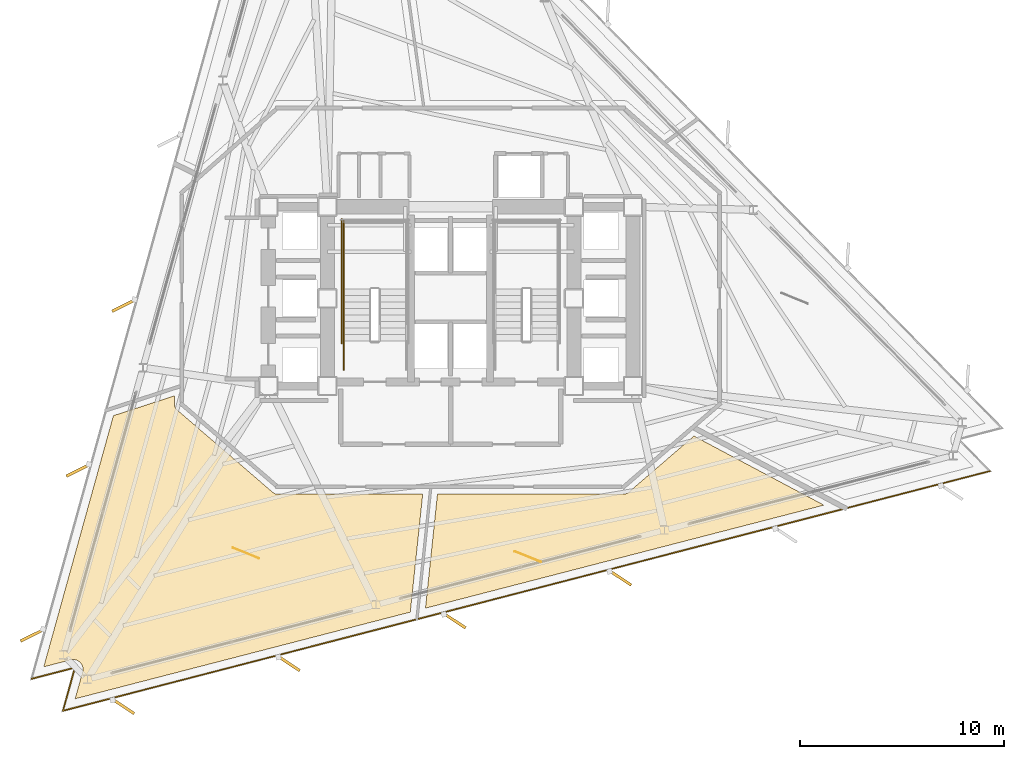
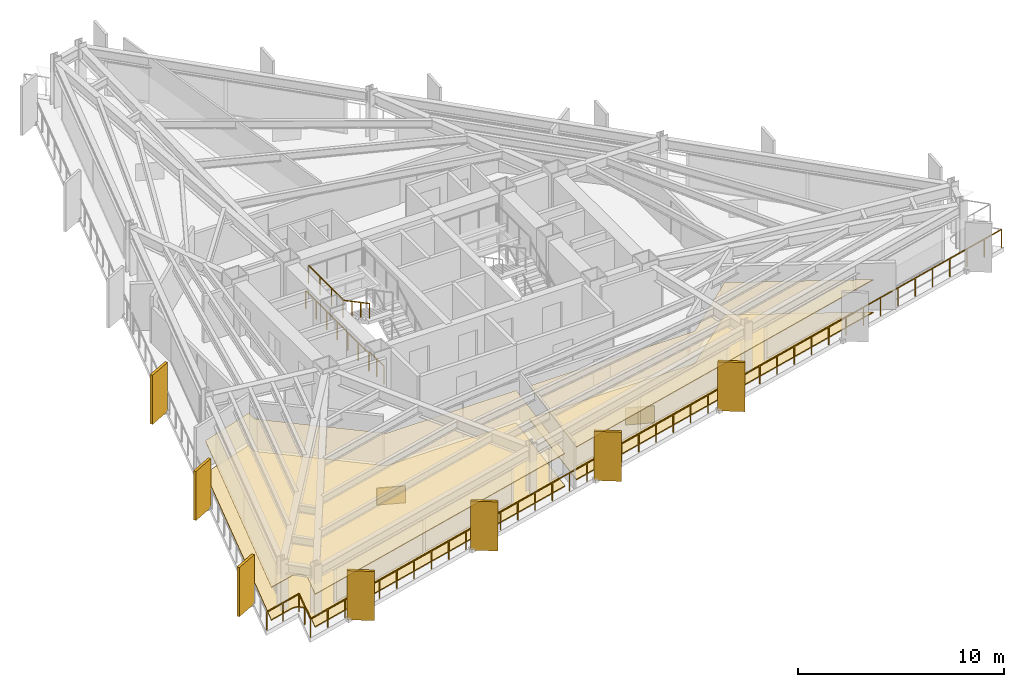
# One storey, part 9 of 11: 7 shading devices, 6 coverings, 5 railings.
"""IFC4 building model written with IfcOpenShell, lengths in metres."""

import ifcopenshell
import ifcopenshell.guid

model = None  # the IFC model being written
_history = None  # IfcOwnerHistory: only IFC2X3 demands one
_inside = {}  # id of a spatial element -> (the spatial element, [elements in it])
_under = {}  # id of a project, library or spatial element -> (it, [spatial elements below it])
_declared = {}  # id of a project -> (the project, [libraries it declares])
_typed = {}  # id of a type object -> (the type object, [elements of that type])
_made_of = {}  # id of a material, layer set ... -> (it, [elements and type objects made of it])


def new_model(schema):
    """Start an empty IFC model of exactly this schema.

    Asked for "IFC4X3", IfcOpenShell would pick the latest addendum, in which some entities
    have other attributes; the version numbers below select the first issue.
    IFC2X3 requires an IfcOwnerHistory on every rooted entity: one is made here for all.
    """
    global model, _history
    if schema == "IFC4X3":
        model = ifcopenshell.file(schema_version=(4, 3, 0, 0))
    else:
        model = ifcopenshell.file(schema=schema)
    _inside.clear()
    _under.clear()
    _declared.clear()
    _typed.clear()
    _made_of.clear()
    _history = None
    if model.schema == "IFC2X3":
        org = make("IfcOrganization", Name="unknown")
        user = make(
            "IfcPersonAndOrganization",
            ThePerson=make("IfcPerson", FamilyName="unknown"),
            TheOrganization=org,
        )
        app = make(
            "IfcApplication",
            ApplicationDeveloper=org,
            Version="unknown",
            ApplicationFullName="unknown",
            ApplicationIdentifier="unknown",
        )
        _history = make(
            "IfcOwnerHistory",
            OwningUser=user,
            OwningApplication=app,
            ChangeAction="ADDED",
            CreationDate=0,
        )
    return model


def make(cls, **values):
    """One entity of the class cls with the attributes given. An attribute that is None is left unset."""
    return model.create_entity(
        cls, **{name: value for name, value in values.items() if value is not None}
    )


def rooted(cls, **values):
    """An entity with a GlobalId (a new one), such as an element, a storey or a relation."""
    return make(cls, GlobalId=ifcopenshell.guid.new(), OwnerHistory=_history, **values)


def si_unit(unit_type, name, prefix=None):
    """IfcSIUnit, for example si_unit("LENGTHUNIT", "METRE", prefix="MILLI")."""
    return make("IfcSIUnit", UnitType=unit_type, Prefix=prefix, Name=name)


def assignment(units):
    """IfcUnitAssignment: the units of a project."""
    return None if units is None else make("IfcUnitAssignment", Units=units)


def point(xyz):
    """IfcCartesianPoint."""
    return None if xyz is None else make("IfcCartesianPoint", Coordinates=xyz)


def direction(xyz):
    """IfcDirection."""
    return None if xyz is None else make("IfcDirection", DirectionRatios=xyz)


def frame(location, z_axis=None, x_axis=None):
    """IfcAxis2Placement3D, a coordinate frame: its origin and axes. An axis left out is left unset."""
    return make(
        "IfcAxis2Placement3D",
        Location=point(location),
        Axis=direction(z_axis),
        RefDirection=direction(x_axis),
    )


def frame_2d(location, x_axis=None):
    """IfcAxis2Placement2D, a coordinate frame in the plane: its origin and x axis."""
    return make(
        "IfcAxis2Placement2D", Location=point(location), RefDirection=direction(x_axis)
    )


def origin():
    """The frame at (0, 0, 0) with its axes left unset."""
    return frame((0.0, 0.0, 0.0))


def origin_2d():
    """The frame at (0, 0) in the plane with its x axis left unset."""
    return frame_2d((0.0, 0.0))


def place(relative_to, where):
    """IfcLocalPlacement: puts the frame where relative to a parent placement (None: the world)."""
    return make(
        "IfcLocalPlacement", PlacementRelTo=relative_to, RelativePlacement=where
    )


def context(
    kind, dimensions, precision=None, world=None, true_north=None, identifier=None
):
    """IfcGeometricRepresentationContext, for example the 3D "Model" context."""
    return make(
        "IfcGeometricRepresentationContext",
        ContextIdentifier=identifier,
        ContextType=kind,
        CoordinateSpaceDimension=dimensions,
        Precision=precision,
        WorldCoordinateSystem=world,
        TrueNorth=true_north,
    )


def subcontext(parent, identifier, kind, view, scale=None):
    """IfcGeometricRepresentationSubContext, for example "Body" below "Model"."""
    return make(
        "IfcGeometricRepresentationSubContext",
        ContextIdentifier=identifier,
        ContextType=kind,
        ParentContext=parent,
        TargetScale=scale,
        TargetView=view,
    )


def project(units=None, contexts=None):
    """IfcProject with its units and contexts."""
    return rooted(
        "IfcProject",
        Name="project",
        RepresentationContexts=contexts,
        UnitsInContext=assignment(units),
    )


def spatial(cls, under=None, at=None, **own):
    """A site, building, storey or space (cls), placed at a placement, below another one or the project."""
    s = rooted(cls, ObjectPlacement=at, **own)
    if under is not None:
        _under.setdefault(under.id(), (under, []))[1].append(s)
    return s


def polyline(points):
    """IfcPolyline through the points."""
    return make("IfcPolyline", Points=[point(p) for p in points])


def profile(cls, at=None, kind="AREA", **sizes):
    """A parametric profile (cls). Its sizes go by their IFC names, for example OverallWidth=200.0."""
    return make(cls, ProfileType=kind, Position=at, **sizes)


def rectangle(**sizes):
    """IfcRectangleProfileDef."""
    return profile("IfcRectangleProfileDef", **sizes)


def outline(outer, holes=None, kind="AREA"):
    """IfcArbitraryClosedProfileDef: a profile drawn as a closed curve; with holes, ...WithVoids."""
    if holes is None:
        return make("IfcArbitraryClosedProfileDef", ProfileType=kind, OuterCurve=outer)
    return make(
        "IfcArbitraryProfileDefWithVoids",
        ProfileType=kind,
        OuterCurve=outer,
        InnerCurves=holes,
    )


def extrude(swept, where, along, depth):
    """IfcExtrudedAreaSolid: the profile swept, set in the frame where, extruded along a direction by depth."""
    return make(
        "IfcExtrudedAreaSolid",
        SweptArea=swept,
        Position=where,
        ExtrudedDirection=direction(along),
        Depth=depth,
    )


def shape(context_of_items, identifier, shape_type, items):
    """IfcShapeRepresentation: the items that make up one representation, for example the "Body"."""
    return make(
        "IfcShapeRepresentation",
        ContextOfItems=context_of_items,
        RepresentationIdentifier=identifier,
        RepresentationType=shape_type,
        Items=items,
    )


def material(Name=None, Category=None):
    """IfcMaterial."""
    return make("IfcMaterial", Name=Name, Category=Category)


def layer(
    of_material, thickness, ventilated=None, Name=None, Category=None, Priority=None
):
    """IfcMaterialLayer: one layer of a wall or slab, of a material (None: an air gap)."""
    return make(
        "IfcMaterialLayer",
        Material=of_material,
        LayerThickness=thickness,
        IsVentilated=ventilated,
        Name=Name,
        Category=Category,
        Priority=Priority,
    )


def layer_set(layers, Name=None):
    """IfcMaterialLayerSet."""
    return make("IfcMaterialLayerSet", MaterialLayers=layers, LayerSetName=Name)


def made_of(thing, what):
    """Note that an element or type object is made of a material, layer set ...; save() writes the relation."""
    if what is not None:
        _made_of.setdefault(what.id(), (what, []))[1].append(thing)
    return thing


def type_object(cls, material=None, **own):
    """A type object (cls), such as IfcWallType, which elements share."""
    return made_of(rooted(cls, **own), material)


def element(
    cls,
    number,
    at=None,
    inside=None,
    cuts=None,
    type_object=None,
    material=None,
    context=None,
    identifier="Body",
    shape_type=None,
    held_by="IfcProductDefinitionShape",
    body=None,
    shapes=None,
    **own,
):
    """One element of the class cls, such as IfcWall. Its Tag is "e" and its number.

    at: its placement. inside: the storey or other place that contains it. cuts: it is an
    opening in that element (IfcRelVoidsElement). A single representation is given by context,
    identifier, shape_type and body (its items); several are given by shapes. held_by: the class
    of the entity that holds the representations. save() writes the other relations.
    """
    e = rooted(cls, Tag="e%d" % number, ObjectPlacement=at, **own)
    if body is not None:
        shapes = [shape(context, identifier, shape_type, body)]
    if shapes is not None:
        e.Representation = make(held_by, Representations=shapes)
    if inside is not None:
        _inside.setdefault(inside.id(), (inside, []))[1].append(e)
    if cuts is not None:
        rooted(
            "IfcRelVoidsElement", RelatingBuildingElement=cuts, RelatedOpeningElement=e
        )
    if type_object is not None:
        _typed.setdefault(type_object.id(), (type_object, []))[1].append(e)
    return made_of(e, material)


def aggregate(whole, parts):
    """IfcRelAggregates: a whole, such as a stair, and the parts it consists of."""
    return rooted("IfcRelAggregates", RelatingObject=whole, RelatedObjects=parts)


def save(model, path):
    """Write the relations noted so far, then the file.

    IfcRelAggregates (storeys below a building ...), IfcRelContainedInSpatialStructure (elements
    in a storey), IfcRelDefinesByType, IfcRelAssociatesMaterial and IfcRelDeclares: one each for
    every whole, place, type object, material and project.
    """
    for whole, parts in _under.values():
        aggregate(whole, parts)
    for where, things in _inside.values():
        rooted(
            "IfcRelContainedInSpatialStructure",
            RelatedElements=things,
            RelatingStructure=where,
        )
    for kind, things in _typed.values():
        rooted("IfcRelDefinesByType", RelatedObjects=things, RelatingType=kind)
    for what, things in _made_of.values():
        rooted("IfcRelAssociatesMaterial", RelatedObjects=things, RelatingMaterial=what)
    for by, libraries in _declared.values():
        rooted("IfcRelDeclares", RelatingContext=by, RelatedDefinitions=libraries)
    model.write(path)


model = new_model("IFC4")

# Units and contexts
model_context = context("Model", 3, precision=1e-05, world=origin(), true_north=direction((0.0, 1.0)))
body_context = subcontext(model_context, "Body", "Model", "MODEL_VIEW")
ifc_project = project(units=[si_unit("LENGTHUNIT", "METRE"), si_unit("AREAUNIT", "SQUARE_METRE"), si_unit("VOLUMEUNIT", "CUBIC_METRE"), si_unit("PLANEANGLEUNIT", "RADIAN"), si_unit("MASSUNIT", "GRAM", prefix="KILO")], contexts=[model_context])

# Site, building, storey
site_placement = place(None, origin())
site = spatial("IfcSite", under=ifc_project, at=site_placement, CompositionType="ELEMENT")
building_placement = place(site_placement, origin())
building = spatial("IfcBuilding", under=site, at=building_placement, Name="Rocaltana Carrier Exchange", CompositionType="ELEMENT")
storey_placement = place(building_placement, frame((0.0, 0.0, 88.639892578125)))
storey = spatial("IfcBuildingStorey", under=building, at=storey_placement, Name="L27", CompositionType="ELEMENT", Elevation=88.639892578125)

# Coverings
ifc_material_1 = material(Name="Calcium Sulphate & Aluminium Pedestal", Category="aluminium")
ifc_layer_1 = layer(ifc_material_1, 0.06005859375)
ifc_layer_set_1 = layer_set([ifc_layer_1], Name="Calcium Sulphate & Aluminium Pedestal")
covering_type_1 = type_object("IfcCoveringType", Name="Anti-Static Raised Exchange Access Floor 60", PredefinedType="FLOORING", material=ifc_layer_set_1)
covering_1_placement = place(storey_placement, origin())
element("IfcCovering", 1, at=covering_1_placement, inside=storey, type_object=covering_type_1, Name="L27 Quiet Focus Lounge Finish Floor", PredefinedType="FLOORING", context=body_context, shape_type="SweptSolid", body=[
    extrude(outline(polyline([(-18.068359375, -18.33837890625), (-18.06494140625, -18.324951171875), (-18.060546875, -18.305419921875), (-18.055908203125, -18.278076171875), (-18.05322265625, -18.25830078125), (-18.051513671875, -18.230224609375), (-18.05078125, -18.21044921875), (-18.0517578125, -18.1826171875), (-18.05322265625, -18.16259765625), (-18.056884765625, -18.135009765625), (-18.060302734375, -18.115234375), (-18.066650390625, -18.088134765625), (-18.072265625, -18.069091796875), (-18.081298828125, -18.04248046875), (-18.08837890625, -18.02392578125), (-18.10009765625, -17.99853515625), (-18.109375, -17.98095703125), (-18.123291015625, -17.956787109375), (-18.13427734375, -17.940185546875), (-18.150634765625, -17.91748046875), (-18.1630859375, -17.90185546875), (-18.181640625, -17.881103515625), (-18.195556640625, -17.86669921875), (-18.216064453125, -17.847900390625), (-18.2314453125, -17.835205078125), (-18.25390625, -17.818359375), (-18.270263671875, -17.80712890625), (-18.294189453125, -17.792724609375), (-18.311767578125, -17.783203125), (-18.3369140625, -17.771240234375), (-18.355224609375, -17.763671875), (-18.381591796875, -17.754150390625), (-18.400634765625, -17.748291015625), (-18.427734375, -17.741455078125), (-18.447265625, -17.73779296875), (-18.474853515625, -17.733642578125), (-18.49462890625, -17.731689453125), (-18.522705078125, -17.73046875), (-18.54248046875, -17.73046875), (-18.5703125, -17.73193359375), (-18.59033203125, -17.73388671875), (-18.617919921875, -17.73828125), (-18.637451171875, -17.7421875), (-18.65087890625, -17.74560546875), (-19.97607421875, -18.088134765625), (-16.556640625, -5.758056640625), (-13.56005859375, -4.784423828125), (-13.56005859375, -5.199951171875), (-13.559814453125, -5.21337890625), (-13.559326171875, -5.220947265625), (-13.556884765625, -5.24755859375), (-13.5556640625, -5.255126953125), (-13.550537109375, -5.281494140625), (-13.548828125, -5.288818359375), (-13.541259765625, -5.314453125), (-13.538818359375, -5.32177734375), (-13.52880859375, -5.346435546875), (-13.525634765625, -5.353515625), (-13.51318359375, -5.377197265625), (-13.509521484375, -5.3837890625), (-13.4951171875, -5.40625), (-13.490478515625, -5.41259765625), (-13.47412109375, -5.433349609375), (-13.468994140625, -5.439208984375), (-13.450439453125, -5.45849609375), (-13.44482421875, -5.4638671875), (-13.43505859375, -5.47265625), (-8.735107421875, -9.522705078125), (-8.72412109375, -9.53173828125), (-8.717529296875, -9.53662109375), (-8.6943359375, -9.552978515625), (-8.6875, -9.557373046875), (-8.66259765625, -9.571044921875), (-8.6552734375, -9.57470703125), (-8.629150390625, -9.5859375), (-8.62158203125, -9.5888671875), (-8.594482421875, -9.597412109375), (-8.58642578125, -9.599365234375), (-8.55859375, -9.60498046875), (-8.550537109375, -9.606201171875), (-8.522216796875, -9.609130859375), (-8.51416015625, -9.609619140625), (-8.5, -9.610107421875), (-1.3720703125, -9.610107421875), (-1.980712890625, -15.402099609375), (-18.43408203125, -19.6572265625), (-18.068359375, -18.33837890625)])), origin(), (0.0, 0.0, 1.0), 0.06005859375),
])
covering_2_placement = place(storey_placement, origin())
element("IfcCovering", 2, at=covering_2_placement, inside=storey, type_object=covering_type_1, Name="L27 Cloud Architecture Office Finish Floor", PredefinedType="FLOORING", context=body_context, shape_type="SweptSolid", body=[
    extrude(outline(polyline([(-1.236572265625, -15.209716796875), (-0.648193359375, -9.610107421875), (8.5, -9.610107421875), (8.51416015625, -9.609619140625), (8.522216796875, -9.609130859375), (8.550537109375, -9.606201171875), (8.55859375, -9.60498046875), (8.58642578125, -9.599365234375), (8.594482421875, -9.597412109375), (8.62158203125, -9.5888671875), (8.629150390625, -9.5859375), (8.6552734375, -9.57470703125), (8.66259765625, -9.571044921875), (8.6875, -9.557373046875), (8.6943359375, -9.552978515625), (8.717529296875, -9.53662109375), (8.72412109375, -9.53173828125), (8.735107421875, -9.522705078125), (11.943359375, -6.758056640625), (18.32421875, -10.15087890625), (-1.236572265625, -15.209716796875)])), origin(), (0.0, 0.0, 1.0), 0.06005859375),
])
ifc_material_2 = material(Name="Mineral Fibre & Powder-Coated Aluminium", Category="aluminium")
ifc_layer_2 = layer(ifc_material_2, 0.044921875)
ifc_layer_set_2 = layer_set([ifc_layer_2], Name="Mineral Fibre & Powder-Coated Aluminium")
covering_type_2 = type_object("IfcCoveringType", Name="Micro-Perforated Acoustic Ceiling 45", PredefinedType="CEILING", material=ifc_layer_set_2)
covering_3_placement = place(storey_placement, frame((0.0, 0.0, 1.93310546875)))
element("IfcCovering", 3, at=covering_3_placement, inside=storey, type_object=covering_type_2, Name="L27 Quiet Focus Lounge Acoustic Ceiling", PredefinedType="CEILING", context=body_context, shape_type="SweptSolid", body=[
    extrude(outline(polyline([(-18.068359375, -18.33837890625), (-18.06494140625, -18.324951171875), (-18.060546875, -18.305419921875), (-18.055908203125, -18.278076171875), (-18.05322265625, -18.25830078125), (-18.051513671875, -18.230224609375), (-18.05078125, -18.21044921875), (-18.0517578125, -18.1826171875), (-18.05322265625, -18.16259765625), (-18.056884765625, -18.135009765625), (-18.060302734375, -18.115234375), (-18.066650390625, -18.088134765625), (-18.072265625, -18.069091796875), (-18.081298828125, -18.04248046875), (-18.08837890625, -18.02392578125), (-18.10009765625, -17.99853515625), (-18.109375, -17.98095703125), (-18.123291015625, -17.956787109375), (-18.13427734375, -17.940185546875), (-18.150634765625, -17.91748046875), (-18.1630859375, -17.90185546875), (-18.181640625, -17.881103515625), (-18.195556640625, -17.86669921875), (-18.216064453125, -17.847900390625), (-18.2314453125, -17.835205078125), (-18.25390625, -17.818359375), (-18.270263671875, -17.80712890625), (-18.294189453125, -17.792724609375), (-18.311767578125, -17.783203125), (-18.3369140625, -17.771240234375), (-18.355224609375, -17.763671875), (-18.381591796875, -17.754150390625), (-18.400634765625, -17.748291015625), (-18.427734375, -17.741455078125), (-18.447265625, -17.73779296875), (-18.474853515625, -17.733642578125), (-18.49462890625, -17.731689453125), (-18.522705078125, -17.73046875), (-18.54248046875, -17.73046875), (-18.5703125, -17.73193359375), (-18.59033203125, -17.73388671875), (-18.617919921875, -17.73828125), (-18.637451171875, -17.7421875), (-18.65087890625, -17.74560546875), (-19.97607421875, -18.088134765625), (-16.556640625, -5.758056640625), (-13.56005859375, -4.784423828125), (-13.56005859375, -5.199951171875), (-13.559814453125, -5.21337890625), (-13.559326171875, -5.220947265625), (-13.556884765625, -5.24755859375), (-13.5556640625, -5.255126953125), (-13.550537109375, -5.281494140625), (-13.548828125, -5.288818359375), (-13.541259765625, -5.314453125), (-13.538818359375, -5.32177734375), (-13.52880859375, -5.346435546875), (-13.525634765625, -5.353515625), (-13.51318359375, -5.377197265625), (-13.509521484375, -5.3837890625), (-13.4951171875, -5.40625), (-13.490478515625, -5.41259765625), (-13.47412109375, -5.433349609375), (-13.468994140625, -5.439208984375), (-13.450439453125, -5.45849609375), (-13.44482421875, -5.4638671875), (-13.43505859375, -5.47265625), (-8.735107421875, -9.522705078125), (-8.72412109375, -9.53173828125), (-8.717529296875, -9.53662109375), (-8.6943359375, -9.552978515625), (-8.6875, -9.557373046875), (-8.66259765625, -9.571044921875), (-8.6552734375, -9.57470703125), (-8.629150390625, -9.5859375), (-8.62158203125, -9.5888671875), (-8.594482421875, -9.597412109375), (-8.58642578125, -9.599365234375), (-8.55859375, -9.60498046875), (-8.550537109375, -9.606201171875), (-8.522216796875, -9.609130859375), (-8.51416015625, -9.609619140625), (-8.5, -9.610107421875), (-1.3720703125, -9.610107421875), (-1.980712890625, -15.402099609375), (-18.43408203125, -19.6572265625), (-18.068359375, -18.33837890625)])), origin(), (0.0, 0.0, 1.0), 0.044921875),
])
covering_4_placement = place(storey_placement, frame((0.0, 0.0, 1.93310546875)))
element("IfcCovering", 4, at=covering_4_placement, inside=storey, type_object=covering_type_2, Name="L27 Cloud Architecture Office Acoustic Ceiling", PredefinedType="CEILING", context=body_context, shape_type="SweptSolid", body=[
    extrude(outline(polyline([(-1.236572265625, -15.209716796875), (-0.648193359375, -9.610107421875), (8.5, -9.610107421875), (8.51416015625, -9.609619140625), (8.522216796875, -9.609130859375), (8.550537109375, -9.606201171875), (8.55859375, -9.60498046875), (8.58642578125, -9.599365234375), (8.594482421875, -9.597412109375), (8.62158203125, -9.5888671875), (8.629150390625, -9.5859375), (8.6552734375, -9.57470703125), (8.66259765625, -9.571044921875), (8.6875, -9.557373046875), (8.6943359375, -9.552978515625), (8.717529296875, -9.53662109375), (8.72412109375, -9.53173828125), (8.735107421875, -9.522705078125), (11.943359375, -6.758056640625), (18.32421875, -10.15087890625), (-1.236572265625, -15.209716796875)])), origin(), (0.0, 0.0, 1.0), 0.044921875),
])

# Railings
ifc_material_3 = material(Name="Brushed Architectural Stainless Tube", Category="steel")
ifc_layer_3 = layer(ifc_material_3, 0.048095703125)
ifc_layer_set_3 = layer_set([ifc_layer_3], Name="Brushed Architectural Stainless Tube")
railing_type_1 = type_object("IfcRailingType", Name="Stair Wall Handrail 920", PredefinedType="HANDRAIL", material=ifc_layer_set_3)
railing_1_placement = place(storey_placement, frame((-5.25, 0.4599609375, 1.68896484375)))
element("IfcRailing", 5, at=railing_1_placement, inside=storey, type_object=railing_type_1, Name="L27 ST-1 stair handrail 2", PredefinedType="HANDRAIL", context=body_context, shape_type="SweptSolid", body=[
    extrude(rectangle(XDim=0.048095703125, YDim=0.048095703125, at=origin_2d()), frame((0.0, 0.0, 0.8759765625), z_axis=(0.0, -0.884394423565, 0.466740295633), x_axis=(1.0, 0.0, 0.0)), (0.0, 0.0, 1.0), 2.894775390625),
    extrude(rectangle(XDim=0.0419921875, YDim=0.0419921875, at=origin_2d()), origin(), (0.0, 0.0, 1.0), 0.851806640625),
    extrude(rectangle(XDim=0.0419921875, YDim=0.0419921875, at=origin_2d()), frame((0.0, -0.853271484375, 0.450439453125)), (0.0, 0.0, 1.0), 0.851806640625),
    extrude(rectangle(XDim=0.0419921875, YDim=0.0419921875, at=origin_2d()), frame((0.0, -1.706787109375, 0.900634765625)), (0.0, 0.0, 1.0), 0.851806640625),
    extrude(rectangle(XDim=0.0419921875, YDim=0.0419921875, at=origin_2d()), frame((0.0, -2.56005859375, 1.35107421875)), (0.0, 0.0, 1.0), 0.851806640625),
])
ifc_material_4 = material(Name="Powder-Coated Aluminium 6063-T6", Category="aluminium")
ifc_layer_4 = layer(ifc_material_4, 0.048095703125)
ifc_layer_set_4 = layer_set([ifc_layer_4], Name="Powder-Coated Aluminium 6063-T6")
railing_type_2 = type_object("IfcRailingType", Name="Stair Well Guardrail 1100", PredefinedType="GUARDRAIL", material=ifc_layer_set_4)
railing_2_placement = place(storey_placement, frame((-5.25, 0.4599609375, 1.52001953125)))
element("IfcRailing", 6, at=railing_2_placement, inside=storey, type_object=railing_type_2, Name="L27 ST-1 stair guard 4", PredefinedType="GUARDRAIL", context=body_context, shape_type="SweptSolid", body=[
    extrude(rectangle(XDim=0.048095703125, YDim=0.048095703125, at=origin_2d()), frame((0.0, 0.0, 1.076171875), z_axis=(0.0, 1.0, 0.0), x_axis=(-1.0, 0.0, 0.0)), (0.0, 0.0, 1.0), 3.340087890625),
    extrude(rectangle(XDim=0.0419921875, YDim=0.0419921875, at=origin_2d()), origin(), (0.0, 0.0, 1.0), 1.052001953125),
    extrude(rectangle(XDim=0.0419921875, YDim=0.0419921875, at=origin_2d()), frame((0.0, 1.11328125, 0.0)), (0.0, 0.0, 1.0), 1.052001953125),
    extrude(rectangle(XDim=0.0419921875, YDim=0.0419921875, at=origin_2d()), frame((0.0, 2.226806640625, 0.0)), (0.0, 0.0, 1.0), 1.052001953125),
    extrude(rectangle(XDim=0.0419921875, YDim=0.0419921875, at=origin_2d()), frame((0.0, 3.340087890625, 0.0)), (0.0, 0.0, 1.0), 1.052001953125),
])
railing_3_placement = place(storey_placement, frame((-5.25, -3.5, 0.0)))
element("IfcRailing", 7, at=railing_3_placement, inside=storey, type_object=railing_type_2, Name="L27 ST-1 stair guard 9", PredefinedType="GUARDRAIL", context=body_context, shape_type="SweptSolid", body=[
    extrude(rectangle(XDim=0.048095703125, YDim=0.048095703125, at=origin_2d()), frame((0.0, 0.0, 1.076171875), z_axis=(0.0, 1.0, 0.0), x_axis=(-1.0, 0.0, 0.0)), (0.0, 0.0, 1.0), 1.39990234375),
    extrude(rectangle(XDim=0.0419921875, YDim=0.0419921875, at=origin_2d()), origin(), (0.0, 0.0, 1.0), 1.052001953125),
    extrude(rectangle(XDim=0.0419921875, YDim=0.0419921875, at=origin_2d()), frame((0.0, 0.699951171875, 0.0)), (0.0, 0.0, 1.0), 1.052001953125),
    extrude(rectangle(XDim=0.0419921875, YDim=0.0419921875, at=origin_2d()), frame((0.0, 1.39990234375, 0.0)), (0.0, 0.0, 1.0), 1.052001953125),
])
railing_4_placement = place(storey_placement, frame((-5.35009765625, -2.199951171875, 0.0)))
element("IfcRailing", 8, at=railing_4_placement, inside=storey, type_object=railing_type_2, Name="L27 ST-1 stair guard 11", PredefinedType="GUARDRAIL", context=body_context, shape_type="SweptSolid", body=[
    extrude(rectangle(XDim=0.048095703125, YDim=0.048095703125, at=origin_2d()), frame((0.0, 0.0, 1.076171875), z_axis=(0.0, 1.0, 0.0), x_axis=(-1.0, 0.0, 0.0)), (0.0, 0.0, 1.0), 6.099853515625),
    extrude(rectangle(XDim=0.0419921875, YDim=0.0419921875, at=origin_2d()), origin(), (0.0, 0.0, 1.0), 1.052001953125),
    extrude(rectangle(XDim=0.0419921875, YDim=0.0419921875, at=origin_2d()), frame((0.0, 1.0166015625, 0.0)), (0.0, 0.0, 1.0), 1.052001953125),
    extrude(rectangle(XDim=0.0419921875, YDim=0.0419921875, at=origin_2d()), frame((0.0, 2.033203125, 0.0)), (0.0, 0.0, 1.0), 1.052001953125),
    extrude(rectangle(XDim=0.0419921875, YDim=0.0419921875, at=origin_2d()), frame((0.0, 3.0498046875, 0.0)), (0.0, 0.0, 1.0), 1.052001953125),
    extrude(rectangle(XDim=0.0419921875, YDim=0.0419921875, at=origin_2d()), frame((0.0, 4.066650390625, 0.0)), (0.0, 0.0, 1.0), 1.052001953125),
    extrude(rectangle(XDim=0.0419921875, YDim=0.0419921875, at=origin_2d()), frame((0.0, 5.083251953125, 0.0)), (0.0, 0.0, 1.0), 1.052001953125),
    extrude(rectangle(XDim=0.0419921875, YDim=0.0419921875, at=origin_2d()), frame((0.0, 6.099853515625, 0.0)), (0.0, 0.0, 1.0), 1.052001953125),
])

# Coverings
ifc_material_5 = material(Name="Honed Piedra Muneca Sandstone", Category="masonry")
ifc_layer_5 = layer(ifc_material_5, 0.034912109375)
ifc_layer_set_5 = layer_set([ifc_layer_5], Name="Honed Piedra Muneca Sandstone")
covering_type_3 = type_object("IfcCoveringType", Name="Stone Facade Cladding 35", PredefinedType="CLADDING", material=ifc_layer_set_5)
for number, where, z_axis, x_axis, name in (
    (9, (-10.05224609375, -12.506103515625, 0.0), (0.0, 0.0, 1.0), (-0.927183854567, 0.374606593416, 0.0), "L27 Stone Facade Cladding Panel 2"),
    (10, (3.78662109375, -12.680419921875, 0.0), (0.0, 0.0, 1.0), (-0.927183854567, 0.374606593416, 0.0), "L27 Stone Facade Cladding Panel 3"),
):
    element("IfcCovering", number, at=place(storey_placement, frame(where, z_axis=z_axis, x_axis=x_axis)), inside=storey, type_object=covering_type_3, Name=name, PredefinedType="CLADDING", context=body_context, shape_type="SweptSolid", body=[
        extrude(rectangle(XDim=1.39990234375, YDim=0.034912109375, at=origin_2d()), origin(), (0.0, 0.0, 1.0), 1.050048828125),
    ])

# Shading devices
ifc_material_6 = material(Name="Honed Bogota Sandstone & Concrete C45/55", Category="masonry")
ifc_layer_6 = layer(ifc_material_6, 0.139892578125)
ifc_layer_set_6 = layer_set([ifc_layer_6], Name="Honed Bogota Sandstone & Concrete C45/55")
shading_device_type = type_object("IfcShadingDeviceType", Name="Vertical Sandstone Shading Fin 1320x140", PredefinedType="USERDEFINED", material=ifc_layer_set_6)
for number, where, z_axis, x_axis, name in (
    (11, (-16.031005859375, -0.34326171875, -0.11962890625), (0.0, 0.0, 1.0), (-0.894934361602, -0.44619781311, 0.0), "L27 Sandstone Vertical Fin F2-04"),
    (12, (-18.27587890625, -8.437744140625, -0.11962890625), (0.0, 0.0, 1.0), (-0.894934361602, -0.44619781311, 0.0), "L27 Sandstone Vertical Fin F2-05"),
    (13, (-20.520751953125, -16.5322265625, -0.11962890625), (0.0, 0.0, 1.0), (-0.894934361602, -0.44619781311, 0.0), "L27 Sandstone Vertical Fin F2-06"),
    (14, (-16.08447265625, -20.021484375, -0.11962890625), (0.0, 0.0, 1.0), (0.833885822067, -0.551936985312, 0.0), "L27 Sandstone Vertical Fin F3-01"),
    (15, (-7.9521484375, -17.918212890625, -0.11962890625), (0.0, 0.0, 1.0), (0.833885822067, -0.551936985312, 0.0), "L27 Sandstone Vertical Fin F3-02"),
    (16, (0.180419921875, -15.81494140625, -0.11962890625), (0.0, 0.0, 1.0), (0.833885822067, -0.551936985312, 0.0), "L27 Sandstone Vertical Fin F3-03"),
    (17, (8.312744140625, -13.7119140625, -0.11962890625), (0.0, 0.0, 1.0), (0.833885822067, -0.551936985312, 0.0), "L27 Sandstone Vertical Fin F3-04"),
):
    element("IfcShadingDevice", number, at=place(storey_placement, frame(where, z_axis=z_axis, x_axis=x_axis)), inside=storey, type_object=shading_device_type, Name=name, ObjectType="FIN", PredefinedType="USERDEFINED", context=body_context, shape_type="SweptSolid", body=[
        extrude(rectangle(XDim=1.320068359375, YDim=0.139892578125, at=origin_2d()), origin(), (0.0, 0.0, 1.0), 2.907958984375),
    ])

# Railing
ifc_material_7 = material(Name="Powder-Coated Aluminium 6063-T6", Category="aluminium")
ifc_layer_7 = layer(ifc_material_7, 0.06005859375)
ifc_layer_set_7 = layer_set([ifc_layer_7], Name="Powder-Coated Aluminium 6063-T6")
railing_type_3 = type_object("IfcRailingType", Name="Wind-Floor & Terrace Perimeter Guardrail 1100", PredefinedType="GUARDRAIL", material=ifc_layer_set_7)
railing_5_placement = place(storey_placement, frame((26.46240234375, -8.47998046875, 0.0)))
element("IfcRailing", 18, at=railing_5_placement, inside=storey, type_object=railing_type_3, Name="L27 Perimeter Balcony Guardrail 1", PredefinedType="GUARDRAIL", context=body_context, shape_type="SweptSolid", body=[
    extrude(rectangle(XDim=0.048095703125, YDim=0.048095703125, at=origin_2d()), frame((0.0, 0.0, 1.076171875), z_axis=(-0.968146868185, -0.250382989886, 0.0), x_axis=(0.250382989886, -0.968146868185, 0.0)), (0.0, 0.0, 1.0), 46.992431640625),
    extrude(rectangle(XDim=0.048095703125, YDim=0.048095703125, at=origin_2d()), frame((-45.49560546875, -11.76611328125, 1.076171875), z_axis=(0.267237446942, 0.96363071088, 0.0), x_axis=(-0.96363071088, 0.267237446942, 0.0)), (0.0, 0.0, 1.0), 2.199951171875),
    extrude(rectangle(XDim=0.048095703125, YDim=0.048095703125, at=origin_2d()), frame((-44.90771484375, -9.646240234375, 1.076171875), z_axis=(-0.968152477167, -0.250361300835, 0.0), x_axis=(0.250361300835, -0.968152477167, 0.0)), (0.0, 0.0, 1.0), 2.199951171875),
    extrude(rectangle(XDim=0.0419921875, YDim=0.0419921875, at=origin_2d()), origin(), (0.0, 0.0, 1.0), 1.052001953125),
    extrude(rectangle(XDim=0.0419921875, YDim=0.0419921875, at=origin_2d()), frame((-1.137451171875, -0.294189453125, 0.0)), (0.0, 0.0, 1.0), 1.052001953125),
    extrude(rectangle(XDim=0.0419921875, YDim=0.0419921875, at=origin_2d()), frame((-2.27490234375, -0.58837890625, 0.0)), (0.0, 0.0, 1.0), 1.052001953125),
    extrude(rectangle(XDim=0.0419921875, YDim=0.0419921875, at=origin_2d()), frame((-3.412109375, -0.882568359375, 0.0)), (0.0, 0.0, 1.0), 1.052001953125),
    extrude(rectangle(XDim=0.0419921875, YDim=0.0419921875, at=origin_2d()), frame((-4.549560546875, -1.176513671875, 0.0)), (0.0, 0.0, 1.0), 1.052001953125),
    extrude(rectangle(XDim=0.0419921875, YDim=0.0419921875, at=origin_2d()), frame((-5.68701171875, -1.470703125, 0.0)), (0.0, 0.0, 1.0), 1.052001953125),
    extrude(rectangle(XDim=0.0419921875, YDim=0.0419921875, at=origin_2d()), frame((-6.82421875, -1.764892578125, 0.0)), (0.0, 0.0, 1.0), 1.052001953125),
    extrude(rectangle(XDim=0.0419921875, YDim=0.0419921875, at=origin_2d()), frame((-7.961669921875, -2.05908203125, 0.0)), (0.0, 0.0, 1.0), 1.052001953125),
    extrude(rectangle(XDim=0.0419921875, YDim=0.0419921875, at=origin_2d()), frame((-9.09912109375, -2.353271484375, 0.0)), (0.0, 0.0, 1.0), 1.052001953125),
    extrude(rectangle(XDim=0.0419921875, YDim=0.0419921875, at=origin_2d()), frame((-10.236572265625, -2.6474609375, 0.0)), (0.0, 0.0, 1.0), 1.052001953125),
    extrude(rectangle(XDim=0.0419921875, YDim=0.0419921875, at=origin_2d()), frame((-11.3740234375, -2.94140625, 0.0)), (0.0, 0.0, 1.0), 1.052001953125),
    extrude(rectangle(XDim=0.0419921875, YDim=0.0419921875, at=origin_2d()), frame((-12.51123046875, -3.235595703125, 0.0)), (0.0, 0.0, 1.0), 1.052001953125),
    extrude(rectangle(XDim=0.0419921875, YDim=0.0419921875, at=origin_2d()), frame((-13.648681640625, -3.52978515625, 0.0)), (0.0, 0.0, 1.0), 1.052001953125),
    extrude(rectangle(XDim=0.0419921875, YDim=0.0419921875, at=origin_2d()), frame((-14.7861328125, -3.823974609375, 0.0)), (0.0, 0.0, 1.0), 1.052001953125),
    extrude(rectangle(XDim=0.0419921875, YDim=0.0419921875, at=origin_2d()), frame((-15.92333984375, -4.1181640625, 0.0)), (0.0, 0.0, 1.0), 1.052001953125),
    extrude(rectangle(XDim=0.0419921875, YDim=0.0419921875, at=origin_2d()), frame((-17.060791015625, -4.412353515625, 0.0)), (0.0, 0.0, 1.0), 1.052001953125),
    extrude(rectangle(XDim=0.0419921875, YDim=0.0419921875, at=origin_2d()), frame((-18.1982421875, -4.70654296875, 0.0)), (0.0, 0.0, 1.0), 1.052001953125),
    extrude(rectangle(XDim=0.0419921875, YDim=0.0419921875, at=origin_2d()), frame((-19.335693359375, -5.00048828125, 0.0)), (0.0, 0.0, 1.0), 1.052001953125),
    extrude(rectangle(XDim=0.0419921875, YDim=0.0419921875, at=origin_2d()), frame((-20.47314453125, -5.294677734375, 0.0)), (0.0, 0.0, 1.0), 1.052001953125),
    extrude(rectangle(XDim=0.0419921875, YDim=0.0419921875, at=origin_2d()), frame((-21.6103515625, -5.5888671875, 0.0)), (0.0, 0.0, 1.0), 1.052001953125),
    extrude(rectangle(XDim=0.0419921875, YDim=0.0419921875, at=origin_2d()), frame((-22.747802734375, -5.883056640625, 0.0)), (0.0, 0.0, 1.0), 1.052001953125),
    extrude(rectangle(XDim=0.0419921875, YDim=0.0419921875, at=origin_2d()), frame((-23.88525390625, -6.17724609375, 0.0)), (0.0, 0.0, 1.0), 1.052001953125),
    extrude(rectangle(XDim=0.0419921875, YDim=0.0419921875, at=origin_2d()), frame((-25.022705078125, -6.471435546875, 0.0)), (0.0, 0.0, 1.0), 1.052001953125),
    extrude(rectangle(XDim=0.0419921875, YDim=0.0419921875, at=origin_2d()), frame((-26.159912109375, -6.765625, 0.0)), (0.0, 0.0, 1.0), 1.052001953125),
    extrude(rectangle(XDim=0.0419921875, YDim=0.0419921875, at=origin_2d()), frame((-27.29736328125, -7.0595703125, 0.0)), (0.0, 0.0, 1.0), 1.052001953125),
    extrude(rectangle(XDim=0.0419921875, YDim=0.0419921875, at=origin_2d()), frame((-28.434814453125, -7.353759765625, 0.0)), (0.0, 0.0, 1.0), 1.052001953125),
    extrude(rectangle(XDim=0.0419921875, YDim=0.0419921875, at=origin_2d()), frame((-29.572265625, -7.64794921875, 0.0)), (0.0, 0.0, 1.0), 1.052001953125),
    extrude(rectangle(XDim=0.0419921875, YDim=0.0419921875, at=origin_2d()), frame((-30.70947265625, -7.942138671875, 0.0)), (0.0, 0.0, 1.0), 1.052001953125),
    extrude(rectangle(XDim=0.0419921875, YDim=0.0419921875, at=origin_2d()), frame((-31.846923828125, -8.236328125, 0.0)), (0.0, 0.0, 1.0), 1.052001953125),
    extrude(rectangle(XDim=0.0419921875, YDim=0.0419921875, at=origin_2d()), frame((-32.984375, -8.530517578125, 0.0)), (0.0, 0.0, 1.0), 1.052001953125),
    extrude(rectangle(XDim=0.0419921875, YDim=0.0419921875, at=origin_2d()), frame((-34.12158203125, -8.82470703125, 0.0)), (0.0, 0.0, 1.0), 1.052001953125),
    extrude(rectangle(XDim=0.0419921875, YDim=0.0419921875, at=origin_2d()), frame((-35.259033203125, -9.11865234375, 0.0)), (0.0, 0.0, 1.0), 1.052001953125),
    extrude(rectangle(XDim=0.0419921875, YDim=0.0419921875, at=origin_2d()), frame((-36.396484375, -9.412841796875, 0.0)), (0.0, 0.0, 1.0), 1.052001953125),
    extrude(rectangle(XDim=0.0419921875, YDim=0.0419921875, at=origin_2d()), frame((-37.533935546875, -9.70703125, 0.0)), (0.0, 0.0, 1.0), 1.052001953125),
    extrude(rectangle(XDim=0.0419921875, YDim=0.0419921875, at=origin_2d()), frame((-38.67138671875, -10.001220703125, 0.0)), (0.0, 0.0, 1.0), 1.052001953125),
    extrude(rectangle(XDim=0.0419921875, YDim=0.0419921875, at=origin_2d()), frame((-39.80859375, -10.29541015625, 0.0)), (0.0, 0.0, 1.0), 1.052001953125),
    extrude(rectangle(XDim=0.0419921875, YDim=0.0419921875, at=origin_2d()), frame((-40.946044921875, -10.589599609375, 0.0)), (0.0, 0.0, 1.0), 1.052001953125),
    extrude(rectangle(XDim=0.0419921875, YDim=0.0419921875, at=origin_2d()), frame((-42.08349609375, -10.883544921875, 0.0)), (0.0, 0.0, 1.0), 1.052001953125),
    extrude(rectangle(XDim=0.0419921875, YDim=0.0419921875, at=origin_2d()), frame((-43.220703125, -11.177734375, 0.0)), (0.0, 0.0, 1.0), 1.052001953125),
    extrude(rectangle(XDim=0.0419921875, YDim=0.0419921875, at=origin_2d()), frame((-44.358154296875, -11.471923828125, 0.0)), (0.0, 0.0, 1.0), 1.052001953125),
    extrude(rectangle(XDim=0.0419921875, YDim=0.0419921875, at=origin_2d()), frame((-45.49560546875, -11.76611328125, 0.0)), (0.0, 0.0, 1.0), 1.052001953125),
    extrude(rectangle(XDim=0.0419921875, YDim=0.0419921875, at=origin_2d()), frame((-45.20166015625, -10.7060546875, 0.0)), (0.0, 0.0, 1.0), 1.052001953125),
    extrude(rectangle(XDim=0.0419921875, YDim=0.0419921875, at=origin_2d()), frame((-44.90771484375, -9.646240234375, 0.0)), (0.0, 0.0, 1.0), 1.052001953125),
    extrude(rectangle(XDim=0.0419921875, YDim=0.0419921875, at=origin_2d()), frame((-45.97265625, -9.921630859375, 0.0)), (0.0, 0.0, 1.0), 1.052001953125),
    extrude(rectangle(XDim=0.0419921875, YDim=0.0419921875, at=origin_2d()), frame((-47.03759765625, -10.197021484375, 0.0)), (0.0, 0.0, 1.0), 1.052001953125),
])

save(model, "model.ifc")
